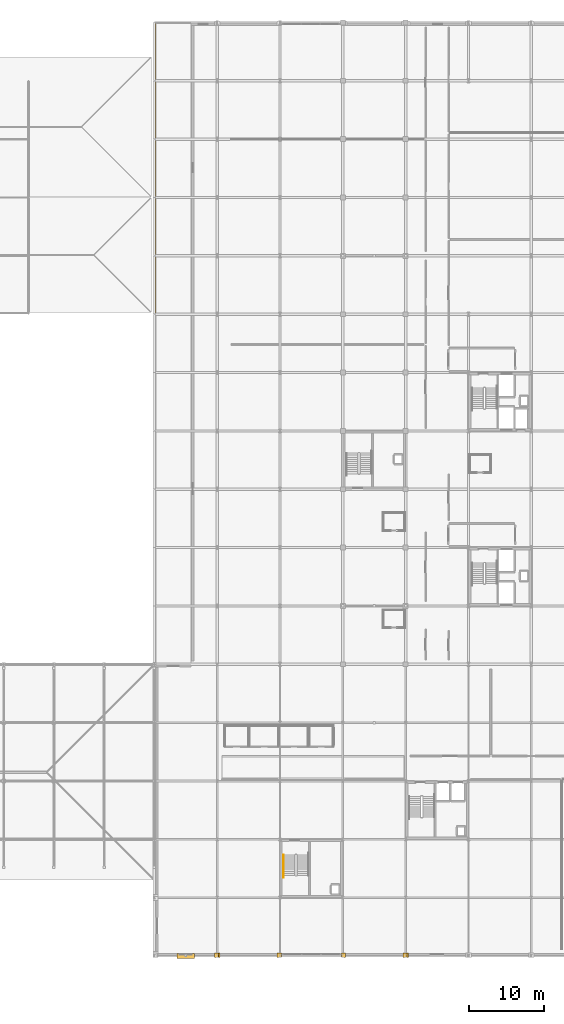
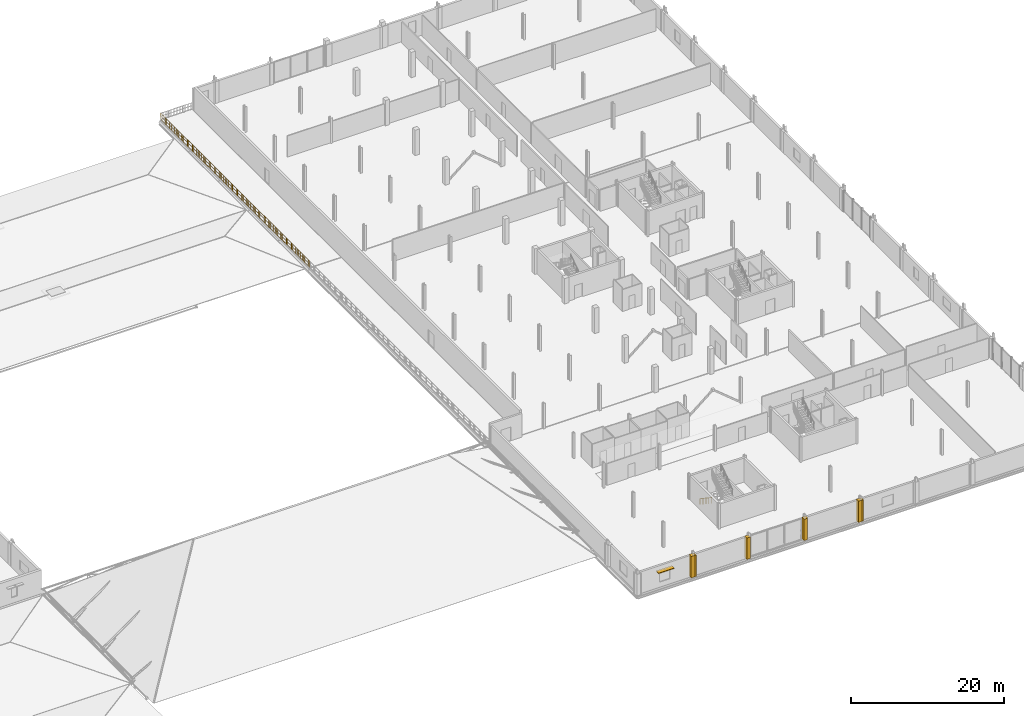
# One storey, part 73 of 77: 6 coverings, 2 railings, 1 shading device.
"""IFC4 building model written with IfcOpenShell, lengths in metres."""

import ifcopenshell
import ifcopenshell.guid

model = None  # the IFC model being written
_history = None  # IfcOwnerHistory: only IFC2X3 demands one
_inside = {}  # id of a spatial element -> (the spatial element, [elements in it])
_under = {}  # id of a project, library or spatial element -> (it, [spatial elements below it])
_declared = {}  # id of a project -> (the project, [libraries it declares])
_typed = {}  # id of a type object -> (the type object, [elements of that type])
_made_of = {}  # id of a material, layer set ... -> (it, [elements and type objects made of it])


def new_model(schema):
    """Start an empty IFC model of exactly this schema.

    Asked for "IFC4X3", IfcOpenShell would pick the latest addendum, in which some entities
    have other attributes; the version numbers below select the first issue.
    IFC2X3 requires an IfcOwnerHistory on every rooted entity: one is made here for all.
    """
    global model, _history
    if schema == "IFC4X3":
        model = ifcopenshell.file(schema_version=(4, 3, 0, 0))
    else:
        model = ifcopenshell.file(schema=schema)
    _inside.clear()
    _under.clear()
    _declared.clear()
    _typed.clear()
    _made_of.clear()
    _history = None
    if model.schema == "IFC2X3":
        org = make("IfcOrganization", Name="unknown")
        user = make(
            "IfcPersonAndOrganization",
            ThePerson=make("IfcPerson", FamilyName="unknown"),
            TheOrganization=org,
        )
        app = make(
            "IfcApplication",
            ApplicationDeveloper=org,
            Version="unknown",
            ApplicationFullName="unknown",
            ApplicationIdentifier="unknown",
        )
        _history = make(
            "IfcOwnerHistory",
            OwningUser=user,
            OwningApplication=app,
            ChangeAction="ADDED",
            CreationDate=0,
        )
    return model


def make(cls, **values):
    """One entity of the class cls with the attributes given. An attribute that is None is left unset."""
    return model.create_entity(
        cls, **{name: value for name, value in values.items() if value is not None}
    )


def rooted(cls, **values):
    """An entity with a GlobalId (a new one), such as an element, a storey or a relation."""
    return make(cls, GlobalId=ifcopenshell.guid.new(), OwnerHistory=_history, **values)


def si_unit(unit_type, name, prefix=None):
    """IfcSIUnit, for example si_unit("LENGTHUNIT", "METRE", prefix="MILLI")."""
    return make("IfcSIUnit", UnitType=unit_type, Prefix=prefix, Name=name)


def assignment(units):
    """IfcUnitAssignment: the units of a project."""
    return None if units is None else make("IfcUnitAssignment", Units=units)


def point(xyz):
    """IfcCartesianPoint."""
    return None if xyz is None else make("IfcCartesianPoint", Coordinates=xyz)


def direction(xyz):
    """IfcDirection."""
    return None if xyz is None else make("IfcDirection", DirectionRatios=xyz)


def frame(location, z_axis=None, x_axis=None):
    """IfcAxis2Placement3D, a coordinate frame: its origin and axes. An axis left out is left unset."""
    return make(
        "IfcAxis2Placement3D",
        Location=point(location),
        Axis=direction(z_axis),
        RefDirection=direction(x_axis),
    )


def frame_2d(location, x_axis=None):
    """IfcAxis2Placement2D, a coordinate frame in the plane: its origin and x axis."""
    return make(
        "IfcAxis2Placement2D", Location=point(location), RefDirection=direction(x_axis)
    )


def origin():
    """The frame at (0, 0, 0) with its axes left unset."""
    return frame((0.0, 0.0, 0.0))


def origin_2d():
    """The frame at (0, 0) in the plane with its x axis left unset."""
    return frame_2d((0.0, 0.0))


def place(relative_to, where):
    """IfcLocalPlacement: puts the frame where relative to a parent placement (None: the world)."""
    return make(
        "IfcLocalPlacement", PlacementRelTo=relative_to, RelativePlacement=where
    )


def context(
    kind, dimensions, precision=None, world=None, true_north=None, identifier=None
):
    """IfcGeometricRepresentationContext, for example the 3D "Model" context."""
    return make(
        "IfcGeometricRepresentationContext",
        ContextIdentifier=identifier,
        ContextType=kind,
        CoordinateSpaceDimension=dimensions,
        Precision=precision,
        WorldCoordinateSystem=world,
        TrueNorth=true_north,
    )


def subcontext(parent, identifier, kind, view, scale=None):
    """IfcGeometricRepresentationSubContext, for example "Body" below "Model"."""
    return make(
        "IfcGeometricRepresentationSubContext",
        ContextIdentifier=identifier,
        ContextType=kind,
        ParentContext=parent,
        TargetScale=scale,
        TargetView=view,
    )


def project(units=None, contexts=None):
    """IfcProject with its units and contexts."""
    return rooted(
        "IfcProject",
        Name="project",
        RepresentationContexts=contexts,
        UnitsInContext=assignment(units),
    )


def spatial(cls, under=None, at=None, **own):
    """A site, building, storey or space (cls), placed at a placement, below another one or the project."""
    s = rooted(cls, ObjectPlacement=at, **own)
    if under is not None:
        _under.setdefault(under.id(), (under, []))[1].append(s)
    return s


def polyline(points):
    """IfcPolyline through the points."""
    return make("IfcPolyline", Points=[point(p) for p in points])


def profile(cls, at=None, kind="AREA", **sizes):
    """A parametric profile (cls). Its sizes go by their IFC names, for example OverallWidth=200.0."""
    return make(cls, ProfileType=kind, Position=at, **sizes)


def rectangle(**sizes):
    """IfcRectangleProfileDef."""
    return profile("IfcRectangleProfileDef", **sizes)


def circle(**sizes):
    """IfcCircleProfileDef."""
    return profile("IfcCircleProfileDef", **sizes)


def outline(outer, holes=None, kind="AREA"):
    """IfcArbitraryClosedProfileDef: a profile drawn as a closed curve; with holes, ...WithVoids."""
    if holes is None:
        return make("IfcArbitraryClosedProfileDef", ProfileType=kind, OuterCurve=outer)
    return make(
        "IfcArbitraryProfileDefWithVoids",
        ProfileType=kind,
        OuterCurve=outer,
        InnerCurves=holes,
    )


def extrude(swept, where, along, depth):
    """IfcExtrudedAreaSolid: the profile swept, set in the frame where, extruded along a direction by depth."""
    return make(
        "IfcExtrudedAreaSolid",
        SweptArea=swept,
        Position=where,
        ExtrudedDirection=direction(along),
        Depth=depth,
    )


def shape(context_of_items, identifier, shape_type, items):
    """IfcShapeRepresentation: the items that make up one representation, for example the "Body"."""
    return make(
        "IfcShapeRepresentation",
        ContextOfItems=context_of_items,
        RepresentationIdentifier=identifier,
        RepresentationType=shape_type,
        Items=items,
    )


def material(Name=None, Category=None):
    """IfcMaterial."""
    return make("IfcMaterial", Name=Name, Category=Category)


def layer(
    of_material, thickness, ventilated=None, Name=None, Category=None, Priority=None
):
    """IfcMaterialLayer: one layer of a wall or slab, of a material (None: an air gap)."""
    return make(
        "IfcMaterialLayer",
        Material=of_material,
        LayerThickness=thickness,
        IsVentilated=ventilated,
        Name=Name,
        Category=Category,
        Priority=Priority,
    )


def layer_set(layers, Name=None):
    """IfcMaterialLayerSet."""
    return make("IfcMaterialLayerSet", MaterialLayers=layers, LayerSetName=Name)


def made_of(thing, what):
    """Note that an element or type object is made of a material, layer set ...; save() writes the relation."""
    if what is not None:
        _made_of.setdefault(what.id(), (what, []))[1].append(thing)
    return thing


def type_object(cls, material=None, **own):
    """A type object (cls), such as IfcWallType, which elements share."""
    return made_of(rooted(cls, **own), material)


def element(
    cls,
    number,
    at=None,
    inside=None,
    cuts=None,
    type_object=None,
    material=None,
    context=None,
    identifier="Body",
    shape_type=None,
    held_by="IfcProductDefinitionShape",
    body=None,
    shapes=None,
    **own,
):
    """One element of the class cls, such as IfcWall. Its Tag is "e" and its number.

    at: its placement. inside: the storey or other place that contains it. cuts: it is an
    opening in that element (IfcRelVoidsElement). A single representation is given by context,
    identifier, shape_type and body (its items); several are given by shapes. held_by: the class
    of the entity that holds the representations. save() writes the other relations.
    """
    e = rooted(cls, Tag="e%d" % number, ObjectPlacement=at, **own)
    if body is not None:
        shapes = [shape(context, identifier, shape_type, body)]
    if shapes is not None:
        e.Representation = make(held_by, Representations=shapes)
    if inside is not None:
        _inside.setdefault(inside.id(), (inside, []))[1].append(e)
    if cuts is not None:
        rooted(
            "IfcRelVoidsElement", RelatingBuildingElement=cuts, RelatedOpeningElement=e
        )
    if type_object is not None:
        _typed.setdefault(type_object.id(), (type_object, []))[1].append(e)
    return made_of(e, material)


def aggregate(whole, parts):
    """IfcRelAggregates: a whole, such as a stair, and the parts it consists of."""
    return rooted("IfcRelAggregates", RelatingObject=whole, RelatedObjects=parts)


def save(model, path):
    """Write the relations noted so far, then the file.

    IfcRelAggregates (storeys below a building ...), IfcRelContainedInSpatialStructure (elements
    in a storey), IfcRelDefinesByType, IfcRelAssociatesMaterial and IfcRelDeclares: one each for
    every whole, place, type object, material and project.
    """
    for whole, parts in _under.values():
        aggregate(whole, parts)
    for where, things in _inside.values():
        rooted(
            "IfcRelContainedInSpatialStructure",
            RelatedElements=things,
            RelatingStructure=where,
        )
    for kind, things in _typed.values():
        rooted("IfcRelDefinesByType", RelatedObjects=things, RelatingType=kind)
    for what, things in _made_of.values():
        rooted("IfcRelAssociatesMaterial", RelatedObjects=things, RelatingMaterial=what)
    for by, libraries in _declared.values():
        rooted("IfcRelDeclares", RelatingContext=by, RelatedDefinitions=libraries)
    model.write(path)


model = new_model("IFC4")

# Units and contexts
model_context = context("Model", 3, precision=1e-05, world=origin(), true_north=direction((0.0, 1.0)))
body_context = subcontext(model_context, "Body", "Model", "MODEL_VIEW")
ifc_project = project(units=[si_unit("LENGTHUNIT", "METRE"), si_unit("AREAUNIT", "SQUARE_METRE"), si_unit("VOLUMEUNIT", "CUBIC_METRE"), si_unit("PLANEANGLEUNIT", "RADIAN"), si_unit("MASSUNIT", "GRAM", prefix="KILO")], contexts=[model_context])

# Site, building, storey
site_placement = place(None, origin())
site = spatial("IfcSite", under=ifc_project, at=site_placement, CompositionType="ELEMENT")
building_placement = place(site_placement, origin())
building = spatial("IfcBuilding", under=site, at=building_placement, Name="Nabrawat Pavilion Hospital", CompositionType="ELEMENT")
storey_placement = place(building_placement, frame((0.0, 0.0, 14.85009765625)))
storey = spatial("IfcBuildingStorey", under=building, at=storey_placement, Name="L03", CompositionType="ELEMENT", Elevation=14.85009765625)

# Coverings
ifc_material_1 = material(Name="Precast concrete C40/50", Category="concrete")
ifc_layer_1 = layer(ifc_material_1, 0.360107421875, Name="Precast concrete C40/50")
ifc_layer_set_1 = layer_set([ifc_layer_1], Name="Precast concrete C40/50")
covering_type = type_object("IfcCoveringType", Name="Architectural Precast Column-Jamb Closure Reveal", PredefinedType="CLADDING", material=ifc_layer_set_1)
covering_1_placement = place(storey_placement, origin())
element("IfcCovering", 1, at=covering_1_placement, inside=storey, type_object=covering_type, Name="L03 Precast Facade Column-Jamb Weatherseal Closure 0471", PredefinedType="CLADDING", context=body_context, shape_type="SweptSolid", body=[
    extrude(outline(polyline([(134.580078125, -0.179931640625), (134.580078125, 0.39990234375), (134.02001953125, 0.39990234375), (134.02001953125, -0.179931640625), (134.580078125, -0.179931640625)])), origin(), (0.0, 0.0, 1.0), 3.419921875),
])
covering_2_placement = place(storey_placement, origin())
element("IfcCovering", 2, at=covering_2_placement, inside=storey, type_object=covering_type, Name="L03 Precast Facade Column-Jamb Weatherseal Closure 0472", PredefinedType="CLADDING", context=body_context, shape_type="SweptSolid", body=[
    extrude(outline(polyline([(134.780029296875, -0.179931640625), (134.780029296875, 0.39990234375), (134.219970703125, 0.39990234375), (134.219970703125, -0.179931640625), (134.780029296875, -0.179931640625)])), origin(), (0.0, 0.0, 1.0), 3.409912109375),
])
covering_3_placement = place(storey_placement, origin())
element("IfcCovering", 3, at=covering_3_placement, inside=storey, type_object=covering_type, Name="L03 Precast Facade Column-Jamb Weatherseal Closure 0473", PredefinedType="CLADDING", context=body_context, shape_type="SweptSolid", body=[
    extrude(outline(polyline([(142.97998046875, -0.179931640625), (142.97998046875, 0.39990234375), (142.419921875, 0.39990234375), (142.419921875, -0.179931640625), (142.97998046875, -0.179931640625)])), origin(), (0.0, 0.0, 1.0), 3.409912109375),
])
covering_4_placement = place(storey_placement, origin())
element("IfcCovering", 4, at=covering_4_placement, inside=storey, type_object=covering_type, Name="L03 Precast Facade Column-Jamb Weatherseal Closure 0474", PredefinedType="CLADDING", context=body_context, shape_type="SweptSolid", body=[
    extrude(outline(polyline([(151.580078125, -0.179931640625), (151.580078125, 0.39990234375), (151.02001953125, 0.39990234375), (151.02001953125, -0.179931640625), (151.580078125, -0.179931640625)])), origin(), (0.0, 0.0, 1.0), 3.39990234375),
])
covering_5_placement = place(storey_placement, origin())
element("IfcCovering", 5, at=covering_5_placement, inside=storey, type_object=covering_type, Name="L03 Precast Facade Column-Jamb Weatherseal Closure 0475", PredefinedType="CLADDING", context=body_context, shape_type="SweptSolid", body=[
    extrude(outline(polyline([(159.780029296875, -0.179931640625), (159.780029296875, 0.39990234375), (159.219970703125, 0.39990234375), (159.219970703125, -0.179931640625), (159.780029296875, -0.179931640625)])), origin(), (0.0, 0.0, 1.0), 3.39990234375),
])
covering_6_placement = place(storey_placement, origin())
element("IfcCovering", 6, at=covering_6_placement, inside=storey, type_object=covering_type, Name="L03 Precast Facade Column-Jamb Weatherseal Closure 0476", PredefinedType="CLADDING", context=body_context, shape_type="SweptSolid", body=[
    extrude(outline(polyline([(159.97998046875, -0.179931640625), (159.97998046875, 0.39990234375), (159.419921875, 0.39990234375), (159.419921875, -0.179931640625), (159.97998046875, -0.179931640625)])), origin(), (0.0, 0.0, 1.0), 3.39990234375),
])

# Railings
ifc_material_2 = material(Name="Stainless Steel 316", Category="steel")
ifc_layer_2 = layer(ifc_material_2, 0.070068359375, Name="Stainless Steel 316")
ifc_layer_set_2 = layer_set([ifc_layer_2], Name="Stainless Steel 316")
railing_type_1 = type_object("IfcRailingType", Name="Exterior Clinical Terrace Safety Guardrail 1100", PredefinedType="GUARDRAIL", material=ifc_layer_set_2)
railing_1_placement = place(storey_placement, frame((126.179931640625, 85.97998046875, 0.0)))
element("IfcRailing", 7, at=railing_1_placement, inside=storey, type_object=railing_type_1, Name="L03 Terrace Edge Safety Guardrail T_L03_WARD_STEP1_N West", PredefinedType="GUARDRAIL", context=body_context, shape_type="SweptSolid", body=[
    extrude(circle(Radius=0.02392578125, at=origin_2d()), frame((0.0, 0.0, 1.076171875), z_axis=(0.0, 1.0, 0.0), x_axis=(-1.0, 0.0, 0.0)), (0.0, 0.0, 1.0), 38.760009765625),
    extrude(circle(Radius=0.02392578125, at=origin_2d()), frame((0.0, 0.0, 0.10009765625), z_axis=(0.0, 1.0, 0.0), x_axis=(-1.0, 0.0, 0.0)), (0.0, 0.0, 1.0), 38.760009765625),
    extrude(circle(Radius=0.02392578125, at=origin_2d()), frame((0.0, 0.0, 0.60498046875), z_axis=(0.0, 1.0, 0.0), x_axis=(-1.0, 0.0, 0.0)), (0.0, 0.0, 1.0), 38.760009765625),
    extrude(circle(Radius=0.008056640625, at=origin_2d()), frame((0.0, 0.2392578125, 0.10009765625)), (0.0, 0.0, 1.0), 0.951904296875),
    extrude(circle(Radius=0.008056640625, at=origin_2d()), frame((0.0, 0.478515625, 0.10009765625)), (0.0, 0.0, 1.0), 0.951904296875),
    extrude(circle(Radius=0.008056640625, at=origin_2d()), frame((0.0, 0.7177734375, 0.10009765625)), (0.0, 0.0, 1.0), 0.951904296875),
    extrude(circle(Radius=0.008056640625, at=origin_2d()), frame((0.0, 0.95703125, 0.10009765625)), (0.0, 0.0, 1.0), 0.951904296875),
    extrude(circle(Radius=0.008056640625, at=origin_2d()), frame((0.0, 1.435546875, 0.10009765625)), (0.0, 0.0, 1.0), 0.951904296875),
    extrude(circle(Radius=0.008056640625, at=origin_2d()), frame((0.0, 1.6748046875, 0.10009765625)), (0.0, 0.0, 1.0), 0.951904296875),
    extrude(circle(Radius=0.008056640625, at=origin_2d()), frame((0.0, 1.9140625, 0.10009765625)), (0.0, 0.0, 1.0), 0.951904296875),
    extrude(circle(Radius=0.008056640625, at=origin_2d()), frame((0.0, 2.1533203125, 0.10009765625)), (0.0, 0.0, 1.0), 0.951904296875),
    extrude(circle(Radius=0.008056640625, at=origin_2d()), frame((0.0, 2.6318359375, 0.10009765625)), (0.0, 0.0, 1.0), 0.951904296875),
    extrude(circle(Radius=0.008056640625, at=origin_2d()), frame((0.0, 2.87109375, 0.10009765625)), (0.0, 0.0, 1.0), 0.951904296875),
    extrude(circle(Radius=0.008056640625, at=origin_2d()), frame((0.0, 3.1103515625, 0.10009765625)), (0.0, 0.0, 1.0), 0.951904296875),
    extrude(circle(Radius=0.008056640625, at=origin_2d()), frame((0.0, 3.349609375, 0.10009765625)), (0.0, 0.0, 1.0), 0.951904296875),
    extrude(circle(Radius=0.008056640625, at=origin_2d()), frame((0.0, 3.5888671875, 0.10009765625)), (0.0, 0.0, 1.0), 0.951904296875),
    extrude(circle(Radius=0.008056640625, at=origin_2d()), frame((0.0, 3.828125, 0.10009765625)), (0.0, 0.0, 1.0), 0.951904296875),
    extrude(circle(Radius=0.008056640625, at=origin_2d()), frame((0.0, 4.0673828125, 0.10009765625)), (0.0, 0.0, 1.0), 0.951904296875),
    extrude(circle(Radius=0.008056640625, at=origin_2d()), frame((0.0, 4.306640625, 0.10009765625)), (0.0, 0.0, 1.0), 0.951904296875),
    extrude(circle(Radius=0.008056640625, at=origin_2d()), frame((0.0, 4.5458984375, 0.10009765625)), (0.0, 0.0, 1.0), 0.951904296875),
    extrude(circle(Radius=0.008056640625, at=origin_2d()), frame((0.0, 4.78515625, 0.10009765625)), (0.0, 0.0, 1.0), 0.951904296875),
    extrude(circle(Radius=0.008056640625, at=origin_2d()), frame((0.0, 5.0244140625, 0.10009765625)), (0.0, 0.0, 1.0), 0.951904296875),
    extrude(circle(Radius=0.008056640625, at=origin_2d()), frame((0.0, 5.263671875, 0.10009765625)), (0.0, 0.0, 1.0), 0.951904296875),
    extrude(circle(Radius=0.008056640625, at=origin_2d()), frame((0.0, 5.5029296875, 0.10009765625)), (0.0, 0.0, 1.0), 0.951904296875),
    extrude(circle(Radius=0.008056640625, at=origin_2d()), frame((0.0, 5.7421875, 0.10009765625)), (0.0, 0.0, 1.0), 0.951904296875),
    extrude(circle(Radius=0.008056640625, at=origin_2d()), frame((0.0, 5.9814453125, 0.10009765625)), (0.0, 0.0, 1.0), 0.951904296875),
    extrude(circle(Radius=0.008056640625, at=origin_2d()), frame((0.0, 6.220703125, 0.10009765625)), (0.0, 0.0, 1.0), 0.951904296875),
    extrude(circle(Radius=0.008056640625, at=origin_2d()), frame((0.0, 6.4599609375, 0.10009765625)), (0.0, 0.0, 1.0), 0.951904296875),
    extrude(circle(Radius=0.008056640625, at=origin_2d()), frame((0.0, 6.69921875, 0.10009765625)), (0.0, 0.0, 1.0), 0.951904296875),
    extrude(circle(Radius=0.008056640625, at=origin_2d()), frame((0.0, 6.9384765625, 0.10009765625)), (0.0, 0.0, 1.0), 0.951904296875),
    extrude(circle(Radius=0.008056640625, at=origin_2d()), frame((0.0, 7.177734375, 0.10009765625)), (0.0, 0.0, 1.0), 0.951904296875),
    extrude(circle(Radius=0.008056640625, at=origin_2d()), frame((0.0, 7.4169921875, 0.10009765625)), (0.0, 0.0, 1.0), 0.951904296875),
    extrude(circle(Radius=0.008056640625, at=origin_2d()), frame((0.0, 7.65625, 0.10009765625)), (0.0, 0.0, 1.0), 0.951904296875),
    extrude(circle(Radius=0.008056640625, at=origin_2d()), frame((0.0, 7.8955078125, 0.10009765625)), (0.0, 0.0, 1.0), 0.951904296875),
    extrude(circle(Radius=0.008056640625, at=origin_2d()), frame((0.0, 8.134765625, 0.10009765625)), (0.0, 0.0, 1.0), 0.951904296875),
    extrude(circle(Radius=0.008056640625, at=origin_2d()), frame((0.0, 8.3740234375, 0.10009765625)), (0.0, 0.0, 1.0), 0.951904296875),
    extrude(circle(Radius=0.008056640625, at=origin_2d()), frame((0.0, 8.61328125, 0.10009765625)), (0.0, 0.0, 1.0), 0.951904296875),
    extrude(circle(Radius=0.008056640625, at=origin_2d()), frame((0.0, 8.8525390625, 0.10009765625)), (0.0, 0.0, 1.0), 0.951904296875),
    extrude(circle(Radius=0.008056640625, at=origin_2d()), frame((0.0, 9.091796875, 0.10009765625)), (0.0, 0.0, 1.0), 0.951904296875),
    extrude(circle(Radius=0.008056640625, at=origin_2d()), frame((0.0, 9.3310546875, 0.10009765625)), (0.0, 0.0, 1.0), 0.951904296875),
    extrude(circle(Radius=0.008056640625, at=origin_2d()), frame((0.0, 9.5703125, 0.10009765625)), (0.0, 0.0, 1.0), 0.951904296875),
    extrude(circle(Radius=0.008056640625, at=origin_2d()), frame((0.0, 9.8095703125, 0.10009765625)), (0.0, 0.0, 1.0), 0.951904296875),
    extrude(circle(Radius=0.008056640625, at=origin_2d()), frame((0.0, 10.048828125, 0.10009765625)), (0.0, 0.0, 1.0), 0.951904296875),
    extrude(circle(Radius=0.008056640625, at=origin_2d()), frame((0.0, 10.2880859375, 0.10009765625)), (0.0, 0.0, 1.0), 0.951904296875),
    extrude(circle(Radius=0.008056640625, at=origin_2d()), frame((0.0, 10.7666015625, 0.10009765625)), (0.0, 0.0, 1.0), 0.951904296875),
    extrude(circle(Radius=0.008056640625, at=origin_2d()), frame((0.0, 11.005859375, 0.10009765625)), (0.0, 0.0, 1.0), 0.951904296875),
    extrude(circle(Radius=0.008056640625, at=origin_2d()), frame((0.0, 11.2451171875, 0.10009765625)), (0.0, 0.0, 1.0), 0.951904296875),
    extrude(circle(Radius=0.008056640625, at=origin_2d()), frame((0.0, 11.484375, 0.10009765625)), (0.0, 0.0, 1.0), 0.951904296875),
    extrude(circle(Radius=0.008056640625, at=origin_2d()), frame((0.0, 11.962890625, 0.10009765625)), (0.0, 0.0, 1.0), 0.951904296875),
    extrude(circle(Radius=0.008056640625, at=origin_2d()), frame((0.0, 12.2021484375, 0.10009765625)), (0.0, 0.0, 1.0), 0.951904296875),
    extrude(circle(Radius=0.008056640625, at=origin_2d()), frame((0.0, 12.44140625, 0.10009765625)), (0.0, 0.0, 1.0), 0.951904296875),
    extrude(circle(Radius=0.008056640625, at=origin_2d()), frame((0.0, 12.6806640625, 0.10009765625)), (0.0, 0.0, 1.0), 0.951904296875),
    extrude(circle(Radius=0.008056640625, at=origin_2d()), frame((0.0, 13.1591796875, 0.10009765625)), (0.0, 0.0, 1.0), 0.951904296875),
    extrude(circle(Radius=0.008056640625, at=origin_2d()), frame((0.0, 13.3984375, 0.10009765625)), (0.0, 0.0, 1.0), 0.951904296875),
    extrude(circle(Radius=0.008056640625, at=origin_2d()), frame((0.0, 13.6376953125, 0.10009765625)), (0.0, 0.0, 1.0), 0.951904296875),
    extrude(circle(Radius=0.008056640625, at=origin_2d()), frame((0.0, 13.876953125, 0.10009765625)), (0.0, 0.0, 1.0), 0.951904296875),
    extrude(circle(Radius=0.008056640625, at=origin_2d()), frame((0.0, 14.35546875, 0.10009765625)), (0.0, 0.0, 1.0), 0.951904296875),
    extrude(circle(Radius=0.008056640625, at=origin_2d()), frame((0.0, 14.5947265625, 0.10009765625)), (0.0, 0.0, 1.0), 0.951904296875),
    extrude(circle(Radius=0.008056640625, at=origin_2d()), frame((0.0, 14.833984375, 0.10009765625)), (0.0, 0.0, 1.0), 0.951904296875),
    extrude(circle(Radius=0.008056640625, at=origin_2d()), frame((0.0, 15.0732421875, 0.10009765625)), (0.0, 0.0, 1.0), 0.951904296875),
    extrude(circle(Radius=0.008056640625, at=origin_2d()), frame((0.0, 15.5517578125, 0.10009765625)), (0.0, 0.0, 1.0), 0.951904296875),
    extrude(circle(Radius=0.008056640625, at=origin_2d()), frame((0.0, 15.791015625, 0.10009765625)), (0.0, 0.0, 1.0), 0.951904296875),
    extrude(circle(Radius=0.008056640625, at=origin_2d()), frame((0.0, 16.0302734375, 0.10009765625)), (0.0, 0.0, 1.0), 0.951904296875),
    extrude(circle(Radius=0.008056640625, at=origin_2d()), frame((0.0, 16.26953125, 0.10009765625)), (0.0, 0.0, 1.0), 0.951904296875),
    extrude(circle(Radius=0.008056640625, at=origin_2d()), frame((0.0, 16.5087890625, 0.10009765625)), (0.0, 0.0, 1.0), 0.951904296875),
    extrude(circle(Radius=0.008056640625, at=origin_2d()), frame((0.0, 16.748046875, 0.10009765625)), (0.0, 0.0, 1.0), 0.951904296875),
    extrude(circle(Radius=0.008056640625, at=origin_2d()), frame((0.0, 16.9873046875, 0.10009765625)), (0.0, 0.0, 1.0), 0.951904296875),
    extrude(circle(Radius=0.008056640625, at=origin_2d()), frame((0.0, 17.2265625, 0.10009765625)), (0.0, 0.0, 1.0), 0.951904296875),
    extrude(circle(Radius=0.008056640625, at=origin_2d()), frame((0.0, 17.4658203125, 0.10009765625)), (0.0, 0.0, 1.0), 0.951904296875),
    extrude(circle(Radius=0.008056640625, at=origin_2d()), frame((0.0, 17.705078125, 0.10009765625)), (0.0, 0.0, 1.0), 0.951904296875),
    extrude(circle(Radius=0.008056640625, at=origin_2d()), frame((0.0, 17.9443359375, 0.10009765625)), (0.0, 0.0, 1.0), 0.951904296875),
    extrude(circle(Radius=0.008056640625, at=origin_2d()), frame((0.0, 18.18359375, 0.10009765625)), (0.0, 0.0, 1.0), 0.951904296875),
    extrude(circle(Radius=0.008056640625, at=origin_2d()), frame((0.0, 18.4228515625, 0.10009765625)), (0.0, 0.0, 1.0), 0.951904296875),
    extrude(circle(Radius=0.008056640625, at=origin_2d()), frame((0.0, 18.662109375, 0.10009765625)), (0.0, 0.0, 1.0), 0.951904296875),
    extrude(circle(Radius=0.008056640625, at=origin_2d()), frame((0.0, 18.9013671875, 0.10009765625)), (0.0, 0.0, 1.0), 0.951904296875),
    extrude(circle(Radius=0.008056640625, at=origin_2d()), frame((0.0, 19.140625, 0.10009765625)), (0.0, 0.0, 1.0), 0.951904296875),
    extrude(circle(Radius=0.008056640625, at=origin_2d()), frame((0.0, 19.3798828125, 0.10009765625)), (0.0, 0.0, 1.0), 0.951904296875),
    extrude(circle(Radius=0.008056640625, at=origin_2d()), frame((0.0, 19.619384765625, 0.10009765625)), (0.0, 0.0, 1.0), 0.951904296875),
    extrude(circle(Radius=0.008056640625, at=origin_2d()), frame((0.0, 19.858642578125, 0.10009765625)), (0.0, 0.0, 1.0), 0.951904296875),
    extrude(circle(Radius=0.008056640625, at=origin_2d()), frame((0.0, 20.097900390625, 0.10009765625)), (0.0, 0.0, 1.0), 0.951904296875),
    extrude(circle(Radius=0.008056640625, at=origin_2d()), frame((0.0, 20.337158203125, 0.10009765625)), (0.0, 0.0, 1.0), 0.951904296875),
    extrude(circle(Radius=0.008056640625, at=origin_2d()), frame((0.0, 20.576416015625, 0.10009765625)), (0.0, 0.0, 1.0), 0.951904296875),
    extrude(circle(Radius=0.008056640625, at=origin_2d()), frame((0.0, 20.815673828125, 0.10009765625)), (0.0, 0.0, 1.0), 0.951904296875),
    extrude(circle(Radius=0.008056640625, at=origin_2d()), frame((0.0, 21.054931640625, 0.10009765625)), (0.0, 0.0, 1.0), 0.951904296875),
    extrude(circle(Radius=0.008056640625, at=origin_2d()), frame((0.0, 21.294189453125, 0.10009765625)), (0.0, 0.0, 1.0), 0.951904296875),
    extrude(circle(Radius=0.008056640625, at=origin_2d()), frame((0.0, 21.533447265625, 0.10009765625)), (0.0, 0.0, 1.0), 0.951904296875),
    extrude(circle(Radius=0.008056640625, at=origin_2d()), frame((0.0, 21.772705078125, 0.10009765625)), (0.0, 0.0, 1.0), 0.951904296875),
    extrude(circle(Radius=0.008056640625, at=origin_2d()), frame((0.0, 22.011962890625, 0.10009765625)), (0.0, 0.0, 1.0), 0.951904296875),
    extrude(circle(Radius=0.008056640625, at=origin_2d()), frame((0.0, 22.251220703125, 0.10009765625)), (0.0, 0.0, 1.0), 0.951904296875),
    extrude(circle(Radius=0.008056640625, at=origin_2d()), frame((0.0, 22.490478515625, 0.10009765625)), (0.0, 0.0, 1.0), 0.951904296875),
    extrude(circle(Radius=0.008056640625, at=origin_2d()), frame((0.0, 22.729736328125, 0.10009765625)), (0.0, 0.0, 1.0), 0.951904296875),
    extrude(circle(Radius=0.008056640625, at=origin_2d()), frame((0.0, 22.968994140625, 0.10009765625)), (0.0, 0.0, 1.0), 0.951904296875),
    extrude(circle(Radius=0.008056640625, at=origin_2d()), frame((0.0, 23.208251953125, 0.10009765625)), (0.0, 0.0, 1.0), 0.951904296875),
    extrude(circle(Radius=0.008056640625, at=origin_2d()), frame((0.0, 23.686767578125, 0.10009765625)), (0.0, 0.0, 1.0), 0.951904296875),
    extrude(circle(Radius=0.008056640625, at=origin_2d()), frame((0.0, 23.926025390625, 0.10009765625)), (0.0, 0.0, 1.0), 0.951904296875),
    extrude(circle(Radius=0.008056640625, at=origin_2d()), frame((0.0, 24.165283203125, 0.10009765625)), (0.0, 0.0, 1.0), 0.951904296875),
    extrude(circle(Radius=0.008056640625, at=origin_2d()), frame((0.0, 24.404541015625, 0.10009765625)), (0.0, 0.0, 1.0), 0.951904296875),
    extrude(circle(Radius=0.008056640625, at=origin_2d()), frame((0.0, 24.883056640625, 0.10009765625)), (0.0, 0.0, 1.0), 0.951904296875),
    extrude(circle(Radius=0.008056640625, at=origin_2d()), frame((0.0, 25.122314453125, 0.10009765625)), (0.0, 0.0, 1.0), 0.951904296875),
    extrude(circle(Radius=0.008056640625, at=origin_2d()), frame((0.0, 25.361572265625, 0.10009765625)), (0.0, 0.0, 1.0), 0.951904296875),
    extrude(circle(Radius=0.008056640625, at=origin_2d()), frame((0.0, 25.600830078125, 0.10009765625)), (0.0, 0.0, 1.0), 0.951904296875),
    extrude(circle(Radius=0.008056640625, at=origin_2d()), frame((0.0, 26.079345703125, 0.10009765625)), (0.0, 0.0, 1.0), 0.951904296875),
    extrude(circle(Radius=0.008056640625, at=origin_2d()), frame((0.0, 26.318603515625, 0.10009765625)), (0.0, 0.0, 1.0), 0.951904296875),
    extrude(circle(Radius=0.008056640625, at=origin_2d()), frame((0.0, 26.557861328125, 0.10009765625)), (0.0, 0.0, 1.0), 0.951904296875),
    extrude(circle(Radius=0.008056640625, at=origin_2d()), frame((0.0, 26.797119140625, 0.10009765625)), (0.0, 0.0, 1.0), 0.951904296875),
    extrude(circle(Radius=0.008056640625, at=origin_2d()), frame((0.0, 27.275634765625, 0.10009765625)), (0.0, 0.0, 1.0), 0.951904296875),
    extrude(circle(Radius=0.008056640625, at=origin_2d()), frame((0.0, 27.514892578125, 0.10009765625)), (0.0, 0.0, 1.0), 0.951904296875),
    extrude(circle(Radius=0.008056640625, at=origin_2d()), frame((0.0, 27.754150390625, 0.10009765625)), (0.0, 0.0, 1.0), 0.951904296875),
    extrude(circle(Radius=0.008056640625, at=origin_2d()), frame((0.0, 27.993408203125, 0.10009765625)), (0.0, 0.0, 1.0), 0.951904296875),
    extrude(circle(Radius=0.008056640625, at=origin_2d()), frame((0.0, 28.471923828125, 0.10009765625)), (0.0, 0.0, 1.0), 0.951904296875),
    extrude(circle(Radius=0.008056640625, at=origin_2d()), frame((0.0, 28.711181640625, 0.10009765625)), (0.0, 0.0, 1.0), 0.951904296875),
    extrude(circle(Radius=0.008056640625, at=origin_2d()), frame((0.0, 28.950439453125, 0.10009765625)), (0.0, 0.0, 1.0), 0.951904296875),
    extrude(circle(Radius=0.008056640625, at=origin_2d()), frame((0.0, 29.189697265625, 0.10009765625)), (0.0, 0.0, 1.0), 0.951904296875),
    extrude(circle(Radius=0.008056640625, at=origin_2d()), frame((0.0, 29.428955078125, 0.10009765625)), (0.0, 0.0, 1.0), 0.951904296875),
    extrude(circle(Radius=0.008056640625, at=origin_2d()), frame((0.0, 29.668212890625, 0.10009765625)), (0.0, 0.0, 1.0), 0.951904296875),
    extrude(circle(Radius=0.008056640625, at=origin_2d()), frame((0.0, 29.907470703125, 0.10009765625)), (0.0, 0.0, 1.0), 0.951904296875),
    extrude(circle(Radius=0.008056640625, at=origin_2d()), frame((0.0, 30.146728515625, 0.10009765625)), (0.0, 0.0, 1.0), 0.951904296875),
    extrude(circle(Radius=0.008056640625, at=origin_2d()), frame((0.0, 30.385986328125, 0.10009765625)), (0.0, 0.0, 1.0), 0.951904296875),
    extrude(circle(Radius=0.008056640625, at=origin_2d()), frame((0.0, 30.625244140625, 0.10009765625)), (0.0, 0.0, 1.0), 0.951904296875),
    extrude(circle(Radius=0.008056640625, at=origin_2d()), frame((0.0, 30.864501953125, 0.10009765625)), (0.0, 0.0, 1.0), 0.951904296875),
    extrude(circle(Radius=0.008056640625, at=origin_2d()), frame((0.0, 31.103759765625, 0.10009765625)), (0.0, 0.0, 1.0), 0.951904296875),
    extrude(circle(Radius=0.008056640625, at=origin_2d()), frame((0.0, 31.343017578125, 0.10009765625)), (0.0, 0.0, 1.0), 0.951904296875),
    extrude(circle(Radius=0.008056640625, at=origin_2d()), frame((0.0, 31.582275390625, 0.10009765625)), (0.0, 0.0, 1.0), 0.951904296875),
    extrude(circle(Radius=0.008056640625, at=origin_2d()), frame((0.0, 31.821533203125, 0.10009765625)), (0.0, 0.0, 1.0), 0.951904296875),
    extrude(circle(Radius=0.008056640625, at=origin_2d()), frame((0.0, 32.060791015625, 0.10009765625)), (0.0, 0.0, 1.0), 0.951904296875),
    extrude(circle(Radius=0.008056640625, at=origin_2d()), frame((0.0, 32.300048828125, 0.10009765625)), (0.0, 0.0, 1.0), 0.951904296875),
    extrude(circle(Radius=0.008056640625, at=origin_2d()), frame((0.0, 32.539306640625, 0.10009765625)), (0.0, 0.0, 1.0), 0.951904296875),
    extrude(circle(Radius=0.008056640625, at=origin_2d()), frame((0.0, 32.778564453125, 0.10009765625)), (0.0, 0.0, 1.0), 0.951904296875),
    extrude(circle(Radius=0.008056640625, at=origin_2d()), frame((0.0, 33.017822265625, 0.10009765625)), (0.0, 0.0, 1.0), 0.951904296875),
    extrude(circle(Radius=0.008056640625, at=origin_2d()), frame((0.0, 33.257080078125, 0.10009765625)), (0.0, 0.0, 1.0), 0.951904296875),
    extrude(circle(Radius=0.008056640625, at=origin_2d()), frame((0.0, 33.496337890625, 0.10009765625)), (0.0, 0.0, 1.0), 0.951904296875),
    extrude(circle(Radius=0.008056640625, at=origin_2d()), frame((0.0, 33.735595703125, 0.10009765625)), (0.0, 0.0, 1.0), 0.951904296875),
    extrude(circle(Radius=0.008056640625, at=origin_2d()), frame((0.0, 33.974853515625, 0.10009765625)), (0.0, 0.0, 1.0), 0.951904296875),
    extrude(circle(Radius=0.008056640625, at=origin_2d()), frame((0.0, 34.214111328125, 0.10009765625)), (0.0, 0.0, 1.0), 0.951904296875),
    extrude(circle(Radius=0.008056640625, at=origin_2d()), frame((0.0, 34.453369140625, 0.10009765625)), (0.0, 0.0, 1.0), 0.951904296875),
    extrude(circle(Radius=0.008056640625, at=origin_2d()), frame((0.0, 34.692626953125, 0.10009765625)), (0.0, 0.0, 1.0), 0.951904296875),
    extrude(circle(Radius=0.008056640625, at=origin_2d()), frame((0.0, 34.931884765625, 0.10009765625)), (0.0, 0.0, 1.0), 0.951904296875),
    extrude(circle(Radius=0.008056640625, at=origin_2d()), frame((0.0, 35.171142578125, 0.10009765625)), (0.0, 0.0, 1.0), 0.951904296875),
    extrude(circle(Radius=0.008056640625, at=origin_2d()), frame((0.0, 35.410400390625, 0.10009765625)), (0.0, 0.0, 1.0), 0.951904296875),
    extrude(circle(Radius=0.008056640625, at=origin_2d()), frame((0.0, 35.649658203125, 0.10009765625)), (0.0, 0.0, 1.0), 0.951904296875),
    extrude(circle(Radius=0.008056640625, at=origin_2d()), frame((0.0, 35.888916015625, 0.10009765625)), (0.0, 0.0, 1.0), 0.951904296875),
    extrude(circle(Radius=0.008056640625, at=origin_2d()), frame((0.0, 36.128173828125, 0.10009765625)), (0.0, 0.0, 1.0), 0.951904296875),
    extrude(circle(Radius=0.008056640625, at=origin_2d()), frame((0.0, 36.606689453125, 0.10009765625)), (0.0, 0.0, 1.0), 0.951904296875),
    extrude(circle(Radius=0.008056640625, at=origin_2d()), frame((0.0, 36.845947265625, 0.10009765625)), (0.0, 0.0, 1.0), 0.951904296875),
    extrude(circle(Radius=0.008056640625, at=origin_2d()), frame((0.0, 37.085205078125, 0.10009765625)), (0.0, 0.0, 1.0), 0.951904296875),
    extrude(circle(Radius=0.008056640625, at=origin_2d()), frame((0.0, 37.324462890625, 0.10009765625)), (0.0, 0.0, 1.0), 0.951904296875),
    extrude(circle(Radius=0.008056640625, at=origin_2d()), frame((0.0, 37.802978515625, 0.10009765625)), (0.0, 0.0, 1.0), 0.951904296875),
    extrude(circle(Radius=0.008056640625, at=origin_2d()), frame((0.0, 38.042236328125, 0.10009765625)), (0.0, 0.0, 1.0), 0.951904296875),
    extrude(circle(Radius=0.008056640625, at=origin_2d()), frame((0.0, 38.281494140625, 0.10009765625)), (0.0, 0.0, 1.0), 0.951904296875),
    extrude(circle(Radius=0.008056640625, at=origin_2d()), frame((0.0, 38.520751953125, 0.10009765625)), (0.0, 0.0, 1.0), 0.951904296875),
    extrude(circle(Radius=0.02099609375, at=origin_2d()), origin(), (0.0, 0.0, 1.0), 1.052001953125),
    extrude(circle(Radius=0.02099609375, at=origin_2d()), frame((0.0, 1.174560546875, 0.0)), (0.0, 0.0, 1.0), 1.052001953125),
    extrude(circle(Radius=0.02099609375, at=origin_2d()), frame((0.0, 2.34912109375, 0.0)), (0.0, 0.0, 1.0), 1.052001953125),
    extrude(circle(Radius=0.02099609375, at=origin_2d()), frame((0.0, 3.523681640625, 0.0)), (0.0, 0.0, 1.0), 1.052001953125),
    extrude(circle(Radius=0.02099609375, at=origin_2d()), frame((0.0, 4.6982421875, 0.0)), (0.0, 0.0, 1.0), 1.052001953125),
    extrude(circle(Radius=0.02099609375, at=origin_2d()), frame((0.0, 5.872802734375, 0.0)), (0.0, 0.0, 1.0), 1.052001953125),
    extrude(circle(Radius=0.02099609375, at=origin_2d()), frame((0.0, 7.04736328125, 0.0)), (0.0, 0.0, 1.0), 1.052001953125),
    extrude(circle(Radius=0.02099609375, at=origin_2d()), frame((0.0, 8.221923828125, 0.0)), (0.0, 0.0, 1.0), 1.052001953125),
    extrude(circle(Radius=0.02099609375, at=origin_2d()), frame((0.0, 9.396484375, 0.0)), (0.0, 0.0, 1.0), 1.052001953125),
    extrude(circle(Radius=0.02099609375, at=origin_2d()), frame((0.0, 10.57080078125, 0.0)), (0.0, 0.0, 1.0), 1.052001953125),
    extrude(circle(Radius=0.02099609375, at=origin_2d()), frame((0.0, 11.745361328125, 0.0)), (0.0, 0.0, 1.0), 1.052001953125),
    extrude(circle(Radius=0.02099609375, at=origin_2d()), frame((0.0, 12.919921875, 0.0)), (0.0, 0.0, 1.0), 1.052001953125),
    extrude(circle(Radius=0.02099609375, at=origin_2d()), frame((0.0, 14.094482421875, 0.0)), (0.0, 0.0, 1.0), 1.052001953125),
    extrude(circle(Radius=0.02099609375, at=origin_2d()), frame((0.0, 15.26904296875, 0.0)), (0.0, 0.0, 1.0), 1.052001953125),
    extrude(circle(Radius=0.02099609375, at=origin_2d()), frame((0.0, 16.443603515625, 0.0)), (0.0, 0.0, 1.0), 1.052001953125),
    extrude(circle(Radius=0.02099609375, at=origin_2d()), frame((0.0, 17.6181640625, 0.0)), (0.0, 0.0, 1.0), 1.052001953125),
    extrude(circle(Radius=0.02099609375, at=origin_2d()), frame((0.0, 18.792724609375, 0.0)), (0.0, 0.0, 1.0), 1.052001953125),
    extrude(circle(Radius=0.02099609375, at=origin_2d()), frame((0.0, 19.96728515625, 0.0)), (0.0, 0.0, 1.0), 1.052001953125),
    extrude(circle(Radius=0.02099609375, at=origin_2d()), frame((0.0, 21.141845703125, 0.0)), (0.0, 0.0, 1.0), 1.052001953125),
    extrude(circle(Radius=0.02099609375, at=origin_2d()), frame((0.0, 22.31640625, 0.0)), (0.0, 0.0, 1.0), 1.052001953125),
    extrude(circle(Radius=0.02099609375, at=origin_2d()), frame((0.0, 23.490966796875, 0.0)), (0.0, 0.0, 1.0), 1.052001953125),
    extrude(circle(Radius=0.02099609375, at=origin_2d()), frame((0.0, 24.66552734375, 0.0)), (0.0, 0.0, 1.0), 1.052001953125),
    extrude(circle(Radius=0.02099609375, at=origin_2d()), frame((0.0, 25.840087890625, 0.0)), (0.0, 0.0, 1.0), 1.052001953125),
    extrude(circle(Radius=0.02099609375, at=origin_2d()), frame((0.0, 27.0146484375, 0.0)), (0.0, 0.0, 1.0), 1.052001953125),
    extrude(circle(Radius=0.02099609375, at=origin_2d()), frame((0.0, 28.189208984375, 0.0)), (0.0, 0.0, 1.0), 1.052001953125),
    extrude(circle(Radius=0.02099609375, at=origin_2d()), frame((0.0, 29.363525390625, 0.0)), (0.0, 0.0, 1.0), 1.052001953125),
    extrude(circle(Radius=0.02099609375, at=origin_2d()), frame((0.0, 30.5380859375, 0.0)), (0.0, 0.0, 1.0), 1.052001953125),
    extrude(circle(Radius=0.02099609375, at=origin_2d()), frame((0.0, 31.712646484375, 0.0)), (0.0, 0.0, 1.0), 1.052001953125),
    extrude(circle(Radius=0.02099609375, at=origin_2d()), frame((0.0, 32.88720703125, 0.0)), (0.0, 0.0, 1.0), 1.052001953125),
    extrude(circle(Radius=0.02099609375, at=origin_2d()), frame((0.0, 34.061767578125, 0.0)), (0.0, 0.0, 1.0), 1.052001953125),
    extrude(circle(Radius=0.02099609375, at=origin_2d()), frame((0.0, 35.236328125, 0.0)), (0.0, 0.0, 1.0), 1.052001953125),
    extrude(circle(Radius=0.02099609375, at=origin_2d()), frame((0.0, 36.410888671875, 0.0)), (0.0, 0.0, 1.0), 1.052001953125),
    extrude(circle(Radius=0.02099609375, at=origin_2d()), frame((0.0, 37.58544921875, 0.0)), (0.0, 0.0, 1.0), 1.052001953125),
    extrude(circle(Radius=0.02099609375, at=origin_2d()), frame((0.0, 38.760009765625, 0.0)), (0.0, 0.0, 1.0), 1.052001953125),
])
ifc_layer_3 = layer(ifc_material_2, 0.044921875, Name="Stainless Steel 316")
ifc_layer_set_3 = layer_set([ifc_layer_3], Name="Stainless Steel 316")
railing_type_2 = type_object("IfcRailingType", Name="Stair Pitch Continuous Handrail 920", PredefinedType="HANDRAIL", material=ifc_layer_set_3)
railing_2_placement = place(storey_placement, frame((143.27490234375, 13.530029296875, 0.18798828125)))
element("IfcRailing", 8, at=railing_2_placement, inside=storey, type_object=railing_type_2, Name="L03 ST-08 stair handrail 1", PredefinedType="HANDRAIL", context=body_context, shape_type="SweptSolid", body=[
    extrude(circle(Radius=0.02392578125, at=origin_2d()), frame((0.0, 0.0, 0.89599609375), z_axis=(0.0, -0.830986065984, 0.556293230356), x_axis=(1.0, 0.0, 0.0)), (0.0, 0.0, 1.0), 3.640380859375),
    extrude(circle(Radius=0.02099609375, at=origin_2d()), origin(), (0.0, 0.0, 1.0), 0.871826171875),
    extrude(circle(Radius=0.02099609375, at=origin_2d()), frame((0.0, -0.75634765625, 0.50634765625)), (0.0, 0.0, 1.0), 0.871826171875),
    extrude(circle(Radius=0.02099609375, at=origin_2d()), frame((0.0, -1.5126953125, 1.0126953125)), (0.0, 0.0, 1.0), 0.871826171875),
    extrude(circle(Radius=0.02099609375, at=origin_2d()), frame((0.0, -2.268798828125, 1.518798828125)), (0.0, 0.0, 1.0), 0.871826171875),
    extrude(circle(Radius=0.02099609375, at=origin_2d()), frame((0.0, -3.025146484375, 2.025146484375)), (0.0, 0.0, 1.0), 0.871826171875),
])

# Shading device
ifc_material_3 = material(Name="Anodised Aluminium", Category="aluminium")
ifc_layer_4 = layer(ifc_material_3, 0.10009765625, Name="Anodised Aluminium")
ifc_layer_set_4 = layer_set([ifc_layer_4], Name="Anodised Aluminium")
shading_device_type = type_object("IfcShadingDeviceType", Name="Window Brow Horizontal Sun-Shading Canopy", PredefinedType="AWNING", material=ifc_layer_set_4)
shading_device_placement = place(storey_placement, frame((130.199951171875, 0.010009765625, 2.499755859375), z_axis=(0.0, 0.0, 1.0), x_axis=(1.0, 0.0, 0.0)))
element("IfcShadingDevice", 9, at=shading_device_placement, inside=storey, type_object=shading_device_type, Name="L03 Window Sun-Shading Brow Canopy 016", PredefinedType="AWNING", context=body_context, shape_type="SweptSolid", body=[
    extrude(rectangle(XDim=2.39990234375, YDim=0.64990234375, at=origin_2d()), origin(), (0.0, 0.0, 1.0), 0.10009765625),
])

save(model, "model.ifc")
